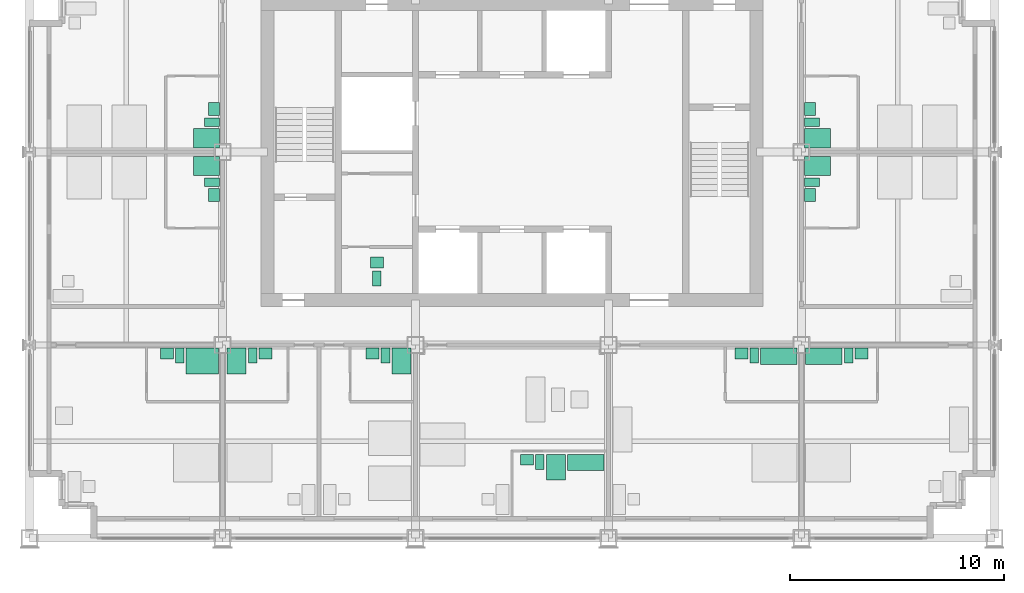
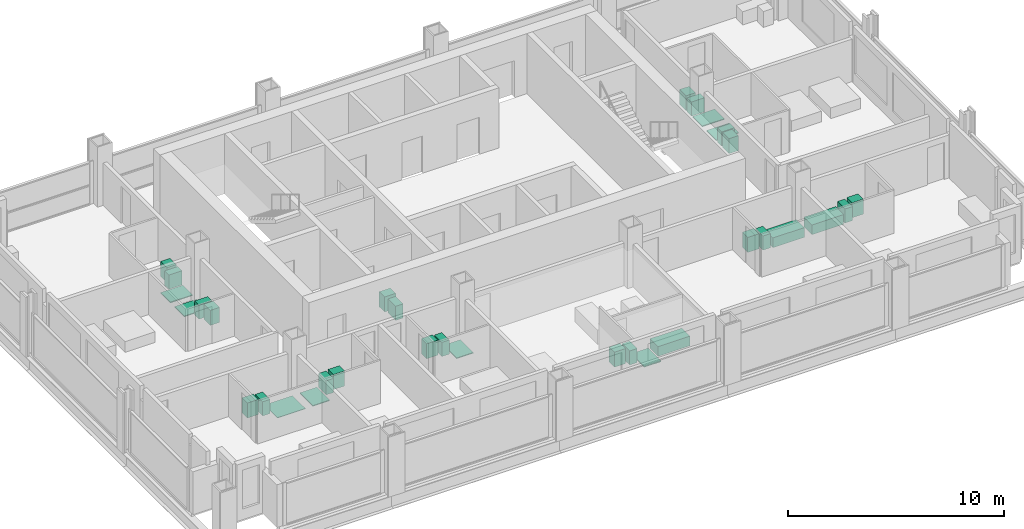
# One storey, part 12 of 13: 33 sanitary terminals.
"""IFC4 building model written with IfcOpenShell, lengths in metres."""

from ifc_helpers import new_model, si_unit, direction, frame, origin, origin_2d, place, context, subcontext, project, spatial, rectangle, extrude, element, save


model = new_model("IFC4")

# Units and contexts
model_context = context("Model", 3, precision=1e-05, world=origin(), true_north=direction((0.0, 1.0)))
body_context = subcontext(model_context, "Body", "Model", "MODEL_VIEW")
ifc_project = project(units=[si_unit("LENGTHUNIT", "METRE"), si_unit("AREAUNIT", "SQUARE_METRE"), si_unit("VOLUMEUNIT", "CUBIC_METRE"), si_unit("PLANEANGLEUNIT", "RADIAN"), si_unit("MASSUNIT", "GRAM", prefix="KILO")], contexts=[model_context])

# Site, building, storey
site_placement = place(None, origin())
site = spatial("IfcSite", under=ifc_project, at=site_placement, CompositionType="ELEMENT")
building_placement = place(site_placement, origin())
building = spatial("IfcBuilding", under=site, at=building_placement, Name="Loomwork Tower", CompositionType="ELEMENT")
storey_placement = place(building_placement, frame((0.0, 0.0, 187.60009765625)))
storey = spatial("IfcBuildingStorey", under=building, at=storey_placement, Name="L51", CompositionType="ELEMENT", Elevation=187.60009765625)

# Sanitary terminals
sanitary_terminal_1_placement = place(storey_placement, frame((8.050048828125, 8.25, 0.0), z_axis=(0.0, 0.0, 1.0), x_axis=(1.0, 0.0, 0.0)))
element("IfcSanitaryTerminal", 1, at=sanitary_terminal_1_placement, inside=storey, Name="Roll-in shower floor L51", PredefinedType="SHOWER", context=body_context, shape_type="SweptSolid", body=[
    extrude(rectangle(XDim=1.5, YDim=1.199951171875, at=origin_2d()), origin(), (0.0, 0.0, 1.0), 0.030029296875),
])
sanitary_terminal_2_placement = place(storey_placement, frame((7.0, 8.5, 0.0), z_axis=(0.0, 0.0, 1.0), x_axis=(1.0, 0.0, 0.0)))
element("IfcSanitaryTerminal", 2, at=sanitary_terminal_2_placement, inside=storey, Name="WC L51", PredefinedType="TOILETPAN", context=body_context, shape_type="SweptSolid", body=[
    extrude(rectangle(XDim=0.39990234375, YDim=0.699951171875, at=origin_2d()), origin(), (0.0, 0.0, 1.0), 0.800048828125),
])
sanitary_terminal_3_placement = place(storey_placement, frame((6.39990234375, 8.60009765625, -0.000244140625), z_axis=(0.0, 0.0, 1.0), x_axis=(1.0, 0.0, 0.0)))
element("IfcSanitaryTerminal", 3, at=sanitary_terminal_3_placement, inside=storey, Name="Basin vanity L51", PredefinedType="WASHHANDBASIN", context=body_context, shape_type="SweptSolid", body=[
    extrude(rectangle(XDim=0.60009765625, YDim=0.5, at=origin_2d()), origin(), (0.0, 0.0, 1.0), 0.85009765625),
])
sanitary_terminal_4_placement = place(storey_placement, frame((9.64990234375, 8.25, 0.0), z_axis=(0.0, 0.0, 1.0), x_axis=(1.0, 0.0, 0.0)))
element("IfcSanitaryTerminal", 4, at=sanitary_terminal_4_placement, inside=storey, Name="Shower tray L51", PredefinedType="SHOWER", context=body_context, shape_type="SweptSolid", body=[
    extrude(rectangle(XDim=0.89990234375, YDim=1.199951171875, at=origin_2d()), origin(), (0.0, 0.0, 1.0), 0.050048828125),
])
sanitary_terminal_5_placement = place(storey_placement, frame((10.39990234375, 8.5, 0.0), z_axis=(0.0, 0.0, 1.0), x_axis=(1.0, 0.0, 0.0)))
element("IfcSanitaryTerminal", 5, at=sanitary_terminal_5_placement, inside=storey, Name="WC L51", PredefinedType="TOILETPAN", context=body_context, shape_type="SweptSolid", body=[
    extrude(rectangle(XDim=0.39990234375, YDim=0.699951171875, at=origin_2d()), origin(), (0.0, 0.0, 1.0), 0.800048828125),
])
sanitary_terminal_6_placement = place(storey_placement, frame((11.0, 8.60009765625, -0.000244140625), z_axis=(0.0, 0.0, 1.0), x_axis=(1.0, 0.0, 0.0)))
element("IfcSanitaryTerminal", 6, at=sanitary_terminal_6_placement, inside=storey, Name="Basin vanity L51", PredefinedType="WASHHANDBASIN", context=body_context, shape_type="SweptSolid", body=[
    extrude(rectangle(XDim=0.60009765625, YDim=0.5, at=origin_2d()), origin(), (0.0, 0.0, 1.0), 0.85009765625),
])
sanitary_terminal_7_placement = place(storey_placement, frame((17.35009765625, 8.25, 0.0), z_axis=(0.0, 0.0, 1.0), x_axis=(1.0, 0.0, 0.0)))
element("IfcSanitaryTerminal", 7, at=sanitary_terminal_7_placement, inside=storey, Name="Shower tray L51", PredefinedType="SHOWER", context=body_context, shape_type="SweptSolid", body=[
    extrude(rectangle(XDim=0.89990234375, YDim=1.199951171875, at=origin_2d()), origin(), (0.0, 0.0, 1.0), 0.050048828125),
])
sanitary_terminal_8_placement = place(storey_placement, frame((16.60009765625, 8.5, 0.0), z_axis=(0.0, 0.0, 1.0), x_axis=(1.0, 0.0, 0.0)))
element("IfcSanitaryTerminal", 8, at=sanitary_terminal_8_placement, inside=storey, Name="WC L51", PredefinedType="TOILETPAN", context=body_context, shape_type="SweptSolid", body=[
    extrude(rectangle(XDim=0.39990234375, YDim=0.699951171875, at=origin_2d()), origin(), (0.0, 0.0, 1.0), 0.800048828125),
])
sanitary_terminal_9_placement = place(storey_placement, frame((16.0, 8.60009765625, -0.000244140625), z_axis=(0.0, 0.0, 1.0), x_axis=(1.0, 0.0, 0.0)))
element("IfcSanitaryTerminal", 9, at=sanitary_terminal_9_placement, inside=storey, Name="Basin vanity L51", PredefinedType="WASHHANDBASIN", context=body_context, shape_type="SweptSolid", body=[
    extrude(rectangle(XDim=0.60009765625, YDim=0.5, at=origin_2d()), origin(), (0.0, 0.0, 1.0), 0.85009765625),
])
sanitary_terminal_10_placement = place(storey_placement, frame((25.949951171875, 3.52490234375, 0.0), z_axis=(0.0, 0.0, 1.0), x_axis=(1.0, 0.0, 0.0)))
element("IfcSanitaryTerminal", 10, at=sanitary_terminal_10_placement, inside=storey, Name="Bath L51", PredefinedType="BATH", context=body_context, shape_type="SweptSolid", body=[
    extrude(rectangle(XDim=1.699951171875, YDim=0.75, at=origin_2d()), origin(), (0.0, 0.0, 1.0), 0.550048828125),
])
sanitary_terminal_11_placement = place(storey_placement, frame((24.550048828125, 3.300048828125, 0.0), z_axis=(0.0, 0.0, 1.0), x_axis=(1.0, 0.0, 0.0)))
element("IfcSanitaryTerminal", 11, at=sanitary_terminal_11_placement, inside=storey, Name="Shower tray L51", PredefinedType="SHOWER", context=body_context, shape_type="SweptSolid", body=[
    extrude(rectangle(XDim=0.89990234375, YDim=1.199951171875, at=origin_2d()), origin(), (0.0, 0.0, 1.0), 0.050048828125),
])
sanitary_terminal_12_placement = place(storey_placement, frame((23.800048828125, 3.550048828125, 0.0), z_axis=(0.0, 0.0, 1.0), x_axis=(1.0, 0.0, 0.0)))
element("IfcSanitaryTerminal", 12, at=sanitary_terminal_12_placement, inside=storey, Name="WC L51", PredefinedType="TOILETPAN", context=body_context, shape_type="SweptSolid", body=[
    extrude(rectangle(XDim=0.39990234375, YDim=0.699951171875, at=origin_2d()), origin(), (0.0, 0.0, 1.0), 0.800048828125),
])
sanitary_terminal_13_placement = place(storey_placement, frame((23.199951171875, 3.64990234375, -0.000244140625), z_axis=(0.0, 0.0, 1.0), x_axis=(1.0, 0.0, 0.0)))
element("IfcSanitaryTerminal", 13, at=sanitary_terminal_13_placement, inside=storey, Name="Basin vanity L51", PredefinedType="WASHHANDBASIN", context=body_context, shape_type="SweptSolid", body=[
    extrude(rectangle(XDim=0.60009765625, YDim=0.5, at=origin_2d()), origin(), (0.0, 0.0, 1.0), 0.85009765625),
])
sanitary_terminal_14_placement = place(storey_placement, frame((34.949951171875, 8.47509765625, 0.0), z_axis=(0.0, 0.0, 1.0), x_axis=(1.0, 0.0, 0.0)))
element("IfcSanitaryTerminal", 14, at=sanitary_terminal_14_placement, inside=storey, Name="Bath L51", PredefinedType="BATH", context=body_context, shape_type="SweptSolid", body=[
    extrude(rectangle(XDim=1.699951171875, YDim=0.75, at=origin_2d()), origin(), (0.0, 0.0, 1.0), 0.550048828125),
])
sanitary_terminal_15_placement = place(storey_placement, frame((33.800048828125, 8.5, 0.0), z_axis=(0.0, 0.0, 1.0), x_axis=(1.0, 0.0, 0.0)))
element("IfcSanitaryTerminal", 15, at=sanitary_terminal_15_placement, inside=storey, Name="WC L51", PredefinedType="TOILETPAN", context=body_context, shape_type="SweptSolid", body=[
    extrude(rectangle(XDim=0.39990234375, YDim=0.699951171875, at=origin_2d()), origin(), (0.0, 0.0, 1.0), 0.800048828125),
])
sanitary_terminal_16_placement = place(storey_placement, frame((33.199951171875, 8.60009765625, -0.000244140625), z_axis=(0.0, 0.0, 1.0), x_axis=(1.0, 0.0, 0.0)))
element("IfcSanitaryTerminal", 16, at=sanitary_terminal_16_placement, inside=storey, Name="Basin vanity L51", PredefinedType="WASHHANDBASIN", context=body_context, shape_type="SweptSolid", body=[
    extrude(rectangle(XDim=0.60009765625, YDim=0.5, at=origin_2d()), origin(), (0.0, 0.0, 1.0), 0.85009765625),
])
sanitary_terminal_17_placement = place(storey_placement, frame((37.050048828125, 8.47509765625, 0.0), z_axis=(0.0, 0.0, 1.0), x_axis=(1.0, 0.0, 0.0)))
element("IfcSanitaryTerminal", 17, at=sanitary_terminal_17_placement, inside=storey, Name="Bath L51", PredefinedType="BATH", context=body_context, shape_type="SweptSolid", body=[
    extrude(rectangle(XDim=1.699951171875, YDim=0.75, at=origin_2d()), origin(), (0.0, 0.0, 1.0), 0.550048828125),
])
sanitary_terminal_18_placement = place(storey_placement, frame((38.199951171875, 8.5, 0.0), z_axis=(0.0, 0.0, 1.0), x_axis=(1.0, 0.0, 0.0)))
element("IfcSanitaryTerminal", 18, at=sanitary_terminal_18_placement, inside=storey, Name="WC L51", PredefinedType="TOILETPAN", context=body_context, shape_type="SweptSolid", body=[
    extrude(rectangle(XDim=0.39990234375, YDim=0.699951171875, at=origin_2d()), origin(), (0.0, 0.0, 1.0), 0.800048828125),
])
sanitary_terminal_19_placement = place(storey_placement, frame((38.800048828125, 8.60009765625, -0.000244140625), z_axis=(0.0, 0.0, 1.0), x_axis=(1.0, 0.0, 0.0)))
element("IfcSanitaryTerminal", 19, at=sanitary_terminal_19_placement, inside=storey, Name="Basin vanity L51", PredefinedType="WASHHANDBASIN", context=body_context, shape_type="SweptSolid", body=[
    extrude(rectangle(XDim=0.60009765625, YDim=0.5, at=origin_2d()), origin(), (0.0, 0.0, 1.0), 0.85009765625),
])
sanitary_terminal_20_placement = place(storey_placement, frame((8.25, 17.35009765625, 0.0), z_axis=(0.0, 0.0, 1.0), x_axis=(1.0, 0.0, 0.0)))
element("IfcSanitaryTerminal", 20, at=sanitary_terminal_20_placement, inside=storey, Name="Shower tray L51", PredefinedType="SHOWER", context=body_context, shape_type="SweptSolid", body=[
    extrude(rectangle(XDim=1.199951171875, YDim=0.89990234375, at=origin_2d()), origin(), (0.0, 0.0, 1.0), 0.050048828125),
])
sanitary_terminal_21_placement = place(storey_placement, frame((8.5, 16.60009765625, 0.0), z_axis=(0.0, 0.0, 1.0), x_axis=(1.0, 0.0, 0.0)))
element("IfcSanitaryTerminal", 21, at=sanitary_terminal_21_placement, inside=storey, Name="WC L51", PredefinedType="TOILETPAN", context=body_context, shape_type="SweptSolid", body=[
    extrude(rectangle(XDim=0.699951171875, YDim=0.39990234375, at=origin_2d()), origin(), (0.0, 0.0, 1.0), 0.800048828125),
])
sanitary_terminal_22_placement = place(storey_placement, frame((8.60009765625, 16.0, -0.000244140625), z_axis=(0.0, 0.0, 1.0), x_axis=(1.0, 0.0, 0.0)))
element("IfcSanitaryTerminal", 22, at=sanitary_terminal_22_placement, inside=storey, Name="Basin vanity L51", PredefinedType="WASHHANDBASIN", context=body_context, shape_type="SweptSolid", body=[
    extrude(rectangle(XDim=0.5, YDim=0.60009765625, at=origin_2d()), origin(), (0.0, 0.0, 1.0), 0.85009765625),
])
sanitary_terminal_23_placement = place(storey_placement, frame((8.25, 18.64990234375, 0.0), z_axis=(0.0, 0.0, 1.0), x_axis=(1.0, 0.0, 0.0)))
element("IfcSanitaryTerminal", 23, at=sanitary_terminal_23_placement, inside=storey, Name="Shower tray L51", PredefinedType="SHOWER", context=body_context, shape_type="SweptSolid", body=[
    extrude(rectangle(XDim=1.199951171875, YDim=0.89990234375, at=origin_2d()), origin(), (0.0, 0.0, 1.0), 0.050048828125),
])
sanitary_terminal_24_placement = place(storey_placement, frame((8.5, 19.39990234375, 0.0), z_axis=(0.0, 0.0, 1.0), x_axis=(1.0, 0.0, 0.0)))
element("IfcSanitaryTerminal", 24, at=sanitary_terminal_24_placement, inside=storey, Name="WC L51", PredefinedType="TOILETPAN", context=body_context, shape_type="SweptSolid", body=[
    extrude(rectangle(XDim=0.699951171875, YDim=0.39990234375, at=origin_2d()), origin(), (0.0, 0.0, 1.0), 0.800048828125),
])
sanitary_terminal_25_placement = place(storey_placement, frame((8.60009765625, 20.0, -0.000244140625), z_axis=(0.0, 0.0, 1.0), x_axis=(1.0, 0.0, 0.0)))
element("IfcSanitaryTerminal", 25, at=sanitary_terminal_25_placement, inside=storey, Name="Basin vanity L51", PredefinedType="WASHHANDBASIN", context=body_context, shape_type="SweptSolid", body=[
    extrude(rectangle(XDim=0.5, YDim=0.60009765625, at=origin_2d()), origin(), (0.0, 0.0, 1.0), 0.85009765625),
])
sanitary_terminal_26_placement = place(storey_placement, frame((36.75, 17.35009765625, 0.0), z_axis=(0.0, 0.0, 1.0), x_axis=(1.0, 0.0, 0.0)))
element("IfcSanitaryTerminal", 26, at=sanitary_terminal_26_placement, inside=storey, Name="Shower tray L51", PredefinedType="SHOWER", context=body_context, shape_type="SweptSolid", body=[
    extrude(rectangle(XDim=1.199951171875, YDim=0.89990234375, at=origin_2d()), origin(), (0.0, 0.0, 1.0), 0.050048828125),
])
sanitary_terminal_27_placement = place(storey_placement, frame((36.5, 16.60009765625, 0.0), z_axis=(0.0, 0.0, 1.0), x_axis=(1.0, 0.0, 0.0)))
element("IfcSanitaryTerminal", 27, at=sanitary_terminal_27_placement, inside=storey, Name="WC L51", PredefinedType="TOILETPAN", context=body_context, shape_type="SweptSolid", body=[
    extrude(rectangle(XDim=0.699951171875, YDim=0.39990234375, at=origin_2d()), origin(), (0.0, 0.0, 1.0), 0.800048828125),
])
sanitary_terminal_28_placement = place(storey_placement, frame((36.39990234375, 16.0, -0.000244140625), z_axis=(0.0, 0.0, 1.0), x_axis=(1.0, 0.0, 0.0)))
element("IfcSanitaryTerminal", 28, at=sanitary_terminal_28_placement, inside=storey, Name="Basin vanity L51", PredefinedType="WASHHANDBASIN", context=body_context, shape_type="SweptSolid", body=[
    extrude(rectangle(XDim=0.5, YDim=0.60009765625, at=origin_2d()), origin(), (0.0, 0.0, 1.0), 0.85009765625),
])
sanitary_terminal_29_placement = place(storey_placement, frame((36.75, 18.64990234375, 0.0), z_axis=(0.0, 0.0, 1.0), x_axis=(1.0, 0.0, 0.0)))
element("IfcSanitaryTerminal", 29, at=sanitary_terminal_29_placement, inside=storey, Name="Shower tray L51", PredefinedType="SHOWER", context=body_context, shape_type="SweptSolid", body=[
    extrude(rectangle(XDim=1.199951171875, YDim=0.89990234375, at=origin_2d()), origin(), (0.0, 0.0, 1.0), 0.050048828125),
])
sanitary_terminal_30_placement = place(storey_placement, frame((36.5, 19.39990234375, 0.0), z_axis=(0.0, 0.0, 1.0), x_axis=(1.0, 0.0, 0.0)))
element("IfcSanitaryTerminal", 30, at=sanitary_terminal_30_placement, inside=storey, Name="WC L51", PredefinedType="TOILETPAN", context=body_context, shape_type="SweptSolid", body=[
    extrude(rectangle(XDim=0.699951171875, YDim=0.39990234375, at=origin_2d()), origin(), (0.0, 0.0, 1.0), 0.800048828125),
])
sanitary_terminal_31_placement = place(storey_placement, frame((36.39990234375, 20.0, -0.000244140625), z_axis=(0.0, 0.0, 1.0), x_axis=(1.0, 0.0, 0.0)))
element("IfcSanitaryTerminal", 31, at=sanitary_terminal_31_placement, inside=storey, Name="Basin vanity L51", PredefinedType="WASHHANDBASIN", context=body_context, shape_type="SweptSolid", body=[
    extrude(rectangle(XDim=0.5, YDim=0.60009765625, at=origin_2d()), origin(), (0.0, 0.0, 1.0), 0.85009765625),
])
sanitary_terminal_32_placement = place(storey_placement, frame((16.199951171875, 12.10009765625, 0.0), z_axis=(0.0, 0.0, 1.0), x_axis=(1.0, 0.0, 0.0)))
element("IfcSanitaryTerminal", 32, at=sanitary_terminal_32_placement, inside=storey, Name="WC L51", PredefinedType="TOILETPAN", context=body_context, shape_type="SweptSolid", body=[
    extrude(rectangle(XDim=0.39990234375, YDim=0.699951171875, at=origin_2d()), origin(), (0.0, 0.0, 1.0), 0.800048828125),
])
sanitary_terminal_33_placement = place(storey_placement, frame((16.199951171875, 12.85009765625, -0.000244140625), z_axis=(0.0, 0.0, 1.0), x_axis=(1.0, 0.0, 0.0)))
element("IfcSanitaryTerminal", 33, at=sanitary_terminal_33_placement, inside=storey, Name="Basin L51", PredefinedType="WASHHANDBASIN", context=body_context, shape_type="SweptSolid", body=[
    extrude(rectangle(XDim=0.60009765625, YDim=0.5, at=origin_2d()), origin(), (0.0, 0.0, 1.0), 0.85009765625),
])

save(model, "model.ifc")
